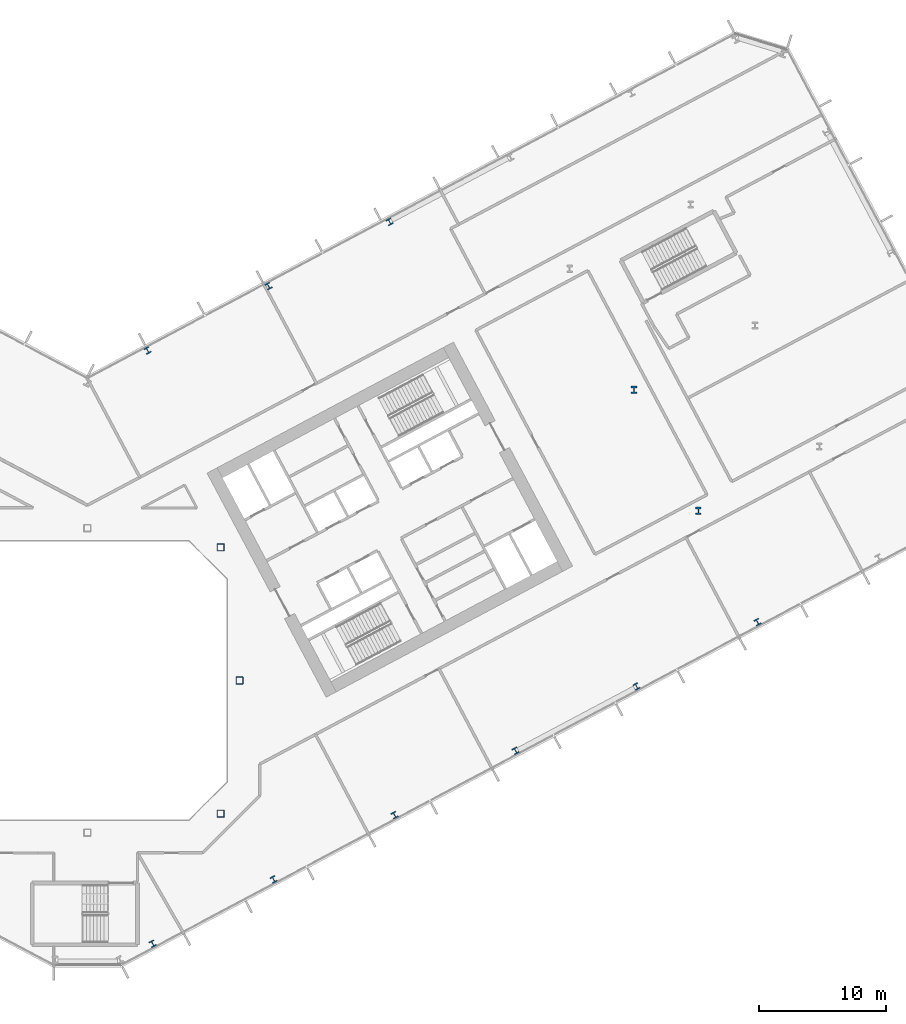
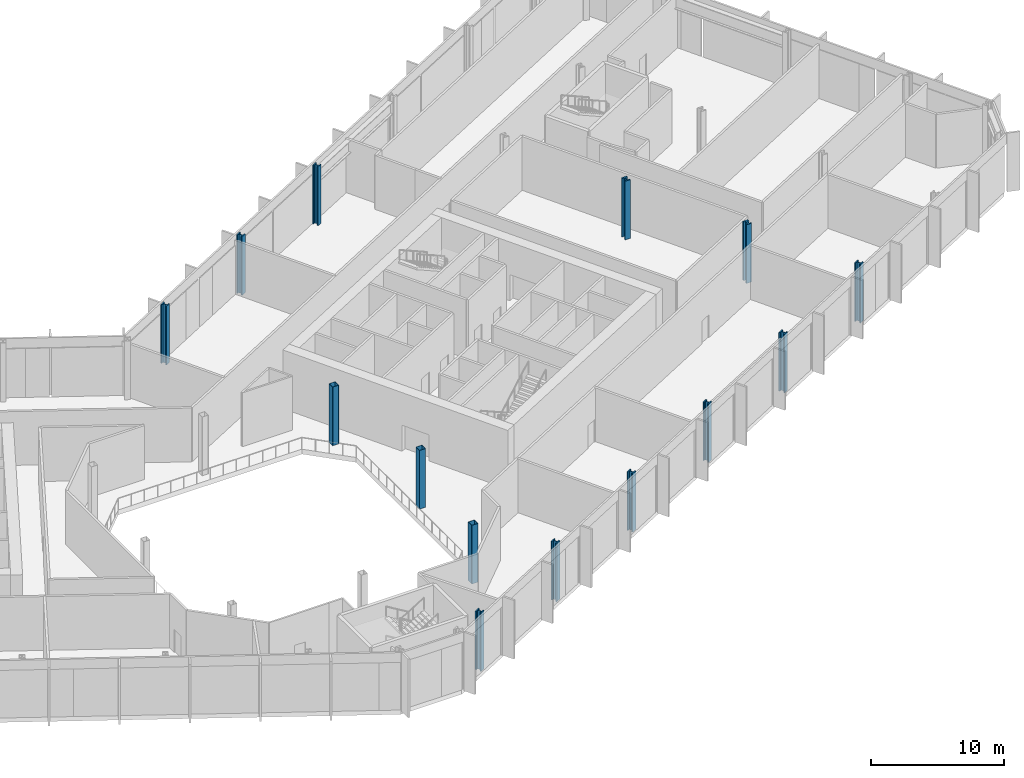
# One storey, part 3 of 32: 14 columns.
"""IFC4 building model written with IfcOpenShell, lengths in metres."""

from ifc_helpers import new_model, si_unit, direction, frame, origin, origin_2d, place, context, subcontext, project, spatial, hollow_rectangle, i_section, extrude, material, material_profile, profile_set, type_object, element, save


model = new_model("IFC4")

# Units and contexts
model_context = context("Model", 3, precision=1e-05, world=origin(), true_north=direction((0.0, 1.0)))
body_context = subcontext(model_context, "Body", "Model", "MODEL_VIEW")
ifc_project = project(units=[si_unit("LENGTHUNIT", "METRE"), si_unit("AREAUNIT", "SQUARE_METRE"), si_unit("VOLUMEUNIT", "CUBIC_METRE"), si_unit("PLANEANGLEUNIT", "RADIAN"), si_unit("MASSUNIT", "GRAM", prefix="KILO")], contexts=[model_context])

# Site, building, storey
site_placement = place(None, origin())
site = spatial("IfcSite", under=ifc_project, at=site_placement, CompositionType="ELEMENT")
building_placement = place(site_placement, origin())
building = spatial("IfcBuilding", under=site, at=building_placement, Name="Cormorant Relay Tower", CompositionType="ELEMENT")
storey_placement = place(building_placement, frame((0.0, 0.0, 39.199951171875)))
storey = spatial("IfcBuildingStorey", under=building, at=storey_placement, Name="L07", CompositionType="ELEMENT", Elevation=39.199951171875)

# Columns
ifc_material_1 = material(Name="Steel ASTM A1085 Grade A (Fy 345 MPa)", Category="steel")
ifc_material_profile_1 = material_profile(ifc_material_1, hollow_rectangle(XDim=0.558837890625, YDim=0.558837890625, WallThickness=0.023681640625, InnerFilletRadius=0.01171875, OuterFilletRadius=0.035400390625, at=origin_2d()), Name="HSS559x559x24")
ifc_profile_set_1 = profile_set([ifc_material_profile_1], Name="Steel ASTM A1085 Grade A (Fy 345 MPa)")
column_type_1 = type_object("IfcColumnType", Name="Column HSS559x559x24", PredefinedType="COLUMN", material=ifc_profile_set_1)
for number, where, z_axis, x_axis, name in (
    (1, (10.5, -10.5, 0.0), (0.0, 0.0, 1.0), (1.0, 0.0, 0.0), "Column L07-010"),
    (2, (12.0, 0.0, 0.0), (0.0, 0.0, 1.0), (1.0, 0.0, 0.0), "Column L07-016"),
    (3, (10.5, 10.5, 0.0), (0.0, 0.0, 1.0), (1.0, 0.0, 0.0), "Column L07-023"),
):
    element("IfcColumn", number, at=place(storey_placement, frame(where, z_axis=z_axis, x_axis=x_axis)), inside=storey, type_object=column_type_1, Name=name, PredefinedType="COLUMN", context=body_context, shape_type="SweptSolid", body=[
        extrude(hollow_rectangle(XDim=0.558837890625, YDim=0.558837890625, WallThickness=0.023681640625, InnerFilletRadius=0.01171875, OuterFilletRadius=0.035400390625, at=origin_2d()), origin(), (0.0, 0.0, 1.0), 5.400146484375),
    ])
ifc_material_2 = material(Name="Steel ASTM A992 (Fy 345 MPa)", Category="steel")
ifc_material_profile_2 = material_profile(ifc_material_2, i_section(OverallWidth=0.45458984375, OverallDepth=0.569091796875, WebThickness=0.077880859375, FlangeThickness=0.124755859375, FilletRadius=0.015380859375, at=origin_2d()), Name="W360x1086")
ifc_profile_set_2 = profile_set([ifc_material_profile_2], Name="Steel ASTM A992 (Fy 345 MPa)")
column_type_2 = type_object("IfcColumnType", Name="Column W360x1086", PredefinedType="COLUMN", material=ifc_profile_set_2)
for number, where, z_axis, x_axis, name in (
    (4, (48.157958984375, 13.3740234375, 0.0), (0.0, 0.0, 1.0), (1.0, 0.0, 0.0), "Column L07-025"),
    (5, (43.087890625, 22.909912109375, 0.0), (0.0, 0.0, 1.0), (1.0, 0.0, 0.0), "Column L07-031"),
):
    element("IfcColumn", number, at=place(storey_placement, frame(where, z_axis=z_axis, x_axis=x_axis)), inside=storey, type_object=column_type_2, Name=name, PredefinedType="COLUMN", context=body_context, shape_type="SweptSolid", body=[
        extrude(i_section(OverallWidth=0.45458984375, OverallDepth=0.569091796875, WebThickness=0.077880859375, FlangeThickness=0.124755859375, FilletRadius=0.015380859375, at=origin_2d()), origin(), (0.0, 0.0, 1.0), 5.400146484375),
    ])
ifc_material_3 = material(Name="Steel ASTM A992 (Fy 345 MPa)", Category="steel")
ifc_material_profile_3 = material_profile(ifc_material_3, i_section(OverallWidth=0.43701171875, OverallDepth=0.51318359375, WebThickness=0.060546875, FlangeThickness=0.096923828125, FilletRadius=0.015380859375, at=origin_2d()), Name="W360x818")
ifc_profile_set_3 = profile_set([ifc_material_profile_3], Name="Steel ASTM A992 (Fy 345 MPa)")
column_type_3 = type_object("IfcColumnType", Name="Column W360x818", PredefinedType="COLUMN", material=ifc_profile_set_3)
for number, where, z_axis, x_axis, name in (
    (6, (5.14599609375, -20.75390625, 0.0), (0.0, 0.0, 1.0), (0.882947592859, 0.469471562786, 0.0), "Column L07-003"),
    (7, (14.680908203125, -15.68310546875, 0.0), (0.0, 0.0, 1.0), (0.882947592859, 0.469471562786, 0.0), "Column L07-005"),
    (8, (24.217041015625, -10.613037109375, 0.0), (0.0, 0.0, 1.0), (0.882947592859, 0.469471562786, 0.0), "Column L07-008"),
    (9, (33.7529296875, -5.54296875, 0.0), (0.0, 0.0, 1.0), (0.882947592859, 0.469471562786, 0.0), "Column L07-012"),
    (10, (43.2890625, -0.471923828125, 0.0), (0.0, 0.0, 1.0), (0.882947592859, 0.469471562786, 0.0), "Column L07-014"),
    (11, (52.824951171875, 4.597900390625, 0.0), (0.0, 0.0, 1.0), (0.882947592859, 0.469471562786, 0.0), "Column L07-019"),
    (12, (4.743896484375, 26.011962890625, 0.0), (0.0, 0.0, 1.0), (-0.882947592859, -0.469471562786, 0.0), "Column L07-035"),
    (13, (14.279052734375, 31.08203125, 0.0), (0.0, 0.0, 1.0), (-0.882947592859, -0.469471562786, 0.0), "Column L07-039"),
    (14, (23.81494140625, 36.152099609375, 0.0), (0.0, 0.0, 1.0), (-0.882947592859, -0.469471562786, 0.0), "Column L07-044"),
):
    element("IfcColumn", number, at=place(storey_placement, frame(where, z_axis=z_axis, x_axis=x_axis)), inside=storey, type_object=column_type_3, Name=name, PredefinedType="COLUMN", context=body_context, shape_type="SweptSolid", body=[
        extrude(i_section(OverallWidth=0.43701171875, OverallDepth=0.51318359375, WebThickness=0.060546875, FlangeThickness=0.096923828125, FilletRadius=0.015380859375, at=origin_2d()), origin(), (0.0, 0.0, 1.0), 5.400146484375),
    ])

save(model, "model.ifc")
